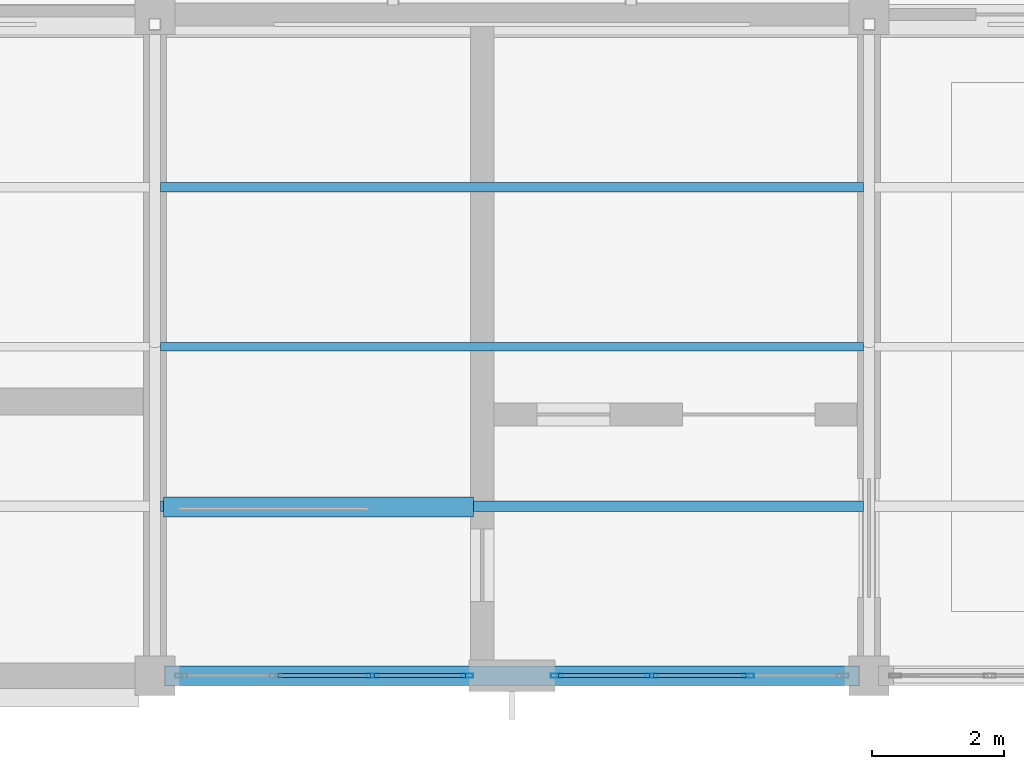
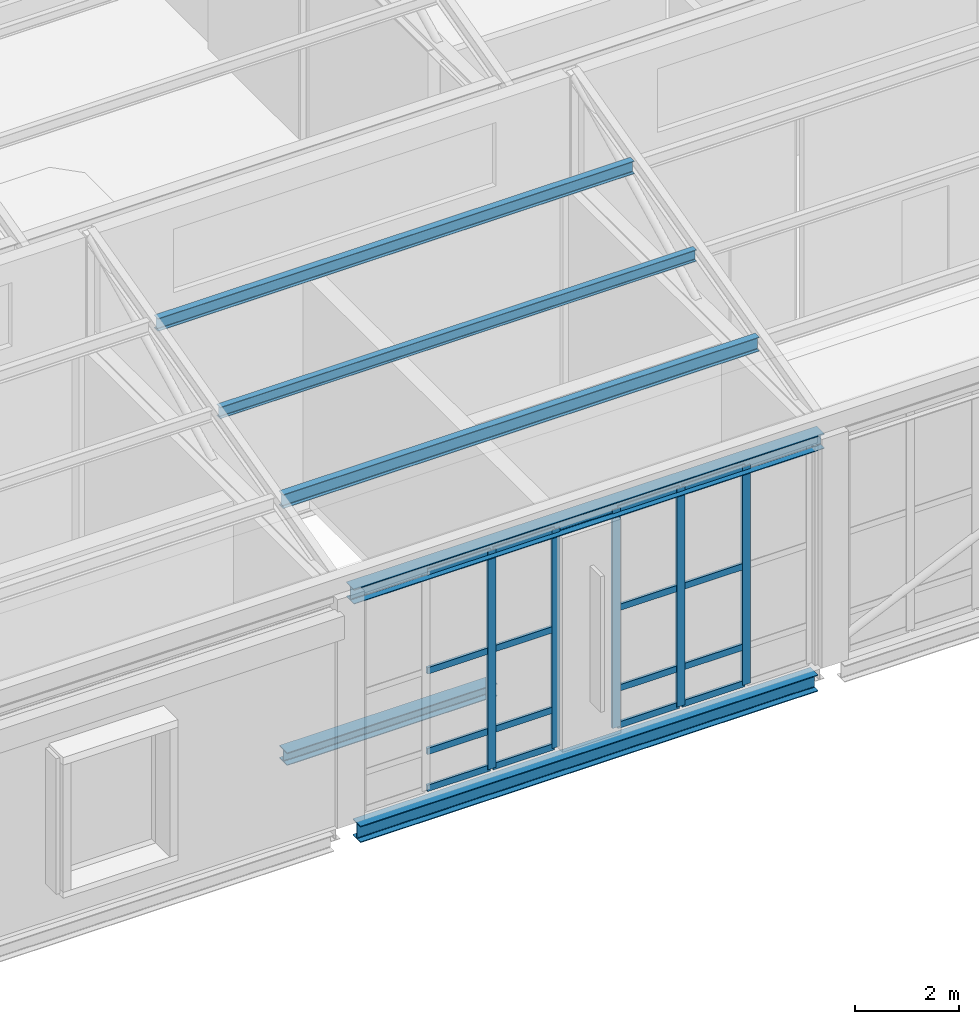
# One storey, part 18 of 49: 24 members, 3 beams, 2 elements without a shape of their own.
"""IFC4 building model written with IfcOpenShell, lengths in metres."""

from ifc_helpers import new_model, si_unit, direction, frame, origin, origin_2d, place, context, subcontext, project, spatial, hollow_rectangle, i_section, extrude, material, layer, layer_set, material_profile, profile_set, type_object, element, aggregate, save


model = new_model("IFC4")

# Units and contexts
model_context = context("Model", 3, precision=1e-05, world=origin(), true_north=direction((0.0, 1.0)))
body_context = subcontext(model_context, "Body", "Model", "MODEL_VIEW")
ifc_project = project(units=[si_unit("LENGTHUNIT", "METRE"), si_unit("AREAUNIT", "SQUARE_METRE"), si_unit("VOLUMEUNIT", "CUBIC_METRE"), si_unit("PLANEANGLEUNIT", "RADIAN"), si_unit("MASSUNIT", "GRAM", prefix="KILO")], contexts=[model_context])

# Site, building, storey
site_placement = place(None, origin())
site = spatial("IfcSite", under=ifc_project, at=site_placement, CompositionType="ELEMENT")
building_placement = place(site_placement, origin())
building = spatial("IfcBuilding", under=site, at=building_placement, Name="Tasgan Crest Museum", CompositionType="ELEMENT")
storey_placement = place(building_placement, frame((0.0, 0.0, 28.800048828125)))
storey = spatial("IfcBuildingStorey", under=building, at=storey_placement, Name="L05", CompositionType="ELEMENT", Elevation=28.800048828125)

# Beams
ifc_material_1 = material(Name="Steel S355J2", Category="steel")
ifc_material_profile_1 = material_profile(ifc_material_1, i_section(OverallWidth=0.300048828125, OverallDepth=0.35009765625, WebThickness=0.009521484375, FlangeThickness=0.017578125, FilletRadius=0.027099609375, at=origin_2d()), Name="HEA 360")
ifc_profile_set_1 = profile_set([ifc_material_profile_1], Name="Steel S355J2")
beam_type_1 = type_object("IfcBeamType", Name="BM-G-HEA360", PredefinedType="BEAM", material=ifc_profile_set_1)
beam_1_placement = place(storey_placement, frame((54.14990234375, 82.0, 5.219970703125), z_axis=(1.0, 0.0, 0.0), x_axis=(0.0, 1.0, 0.0)))
element("IfcBeam", 1, at=beam_1_placement, inside=storey, type_object=beam_type_1, Name="Sawtooth valley girder B1 54.0-64.8", PredefinedType="BEAM", context=body_context, shape_type="SweptSolid", body=[
    extrude(i_section(OverallWidth=0.300048828125, OverallDepth=0.35009765625, WebThickness=0.009521484375, FlangeThickness=0.017578125, FilletRadius=0.027099609375, at=origin_2d()), origin(), (0.0, 0.0, 1.0), 10.5),
])
ifc_material_2 = material(Name="Steel S355J2", Category="steel")
ifc_material_profile_2 = material_profile(ifc_material_2, i_section(OverallWidth=0.300048828125, OverallDepth=0.389892578125, WebThickness=0.010986328125, FlangeThickness=0.01904296875, FilletRadius=0.027099609375, at=origin_2d()), Name="HEA 400")
ifc_profile_set_2 = profile_set([ifc_material_profile_2], Name="Steel S355J2")
beam_type_2 = type_object("IfcBeamType", Name="BM-G-HEA400", PredefinedType="BEAM", material=ifc_profile_set_2)
beam_2_placement = place(storey_placement, frame((54.2958984375, 82.0, -0.43505859375), z_axis=(1.0, 0.0, 0.0), x_axis=(0.0, 1.0, 0.0)))
element("IfcBeam", 2, at=beam_2_placement, inside=storey, type_object=beam_type_2, Name="Girder L05 J 54.0-64.8", PredefinedType="BEAM", context=body_context, shape_type="SweptSolid", body=[
    extrude(i_section(OverallWidth=0.300048828125, OverallDepth=0.389892578125, WebThickness=0.010986328125, FlangeThickness=0.01904296875, FilletRadius=0.027099609375, at=origin_2d()), origin(), (0.0, 0.0, 1.0), 10.2080078125),
])
ifc_material_3 = material(Name="Steel S355J2", Category="steel")
ifc_material_profile_3 = material_profile(ifc_material_3, i_section(OverallWidth=0.300048828125, OverallDepth=0.300048828125, WebThickness=0.010986328125, FlangeThickness=0.01904296875, FilletRadius=0.027099609375, at=origin_2d()), Name="HEB 300")
ifc_profile_set_3 = profile_set([ifc_material_profile_3], Name="Steel S355J2")
beam_type_3 = type_object("IfcBeamType", Name="BM-G-HEB300", PredefinedType="BEAM", material=ifc_profile_set_3)
beam_3_placement = place(storey_placement, frame((54.1298828125, 84.550048828125, -0.150146484375), z_axis=(1.0, 0.0, 0.0), x_axis=(0.0, 1.0, 0.0)))
element("IfcBeam", 3, at=beam_3_placement, inside=storey, type_object=beam_type_3, Name="North-Central Sawtooth Core top stair trimmer L05", PredefinedType="BEAM", context=body_context, shape_type="SweptSolid", body=[
    extrude(i_section(OverallWidth=0.300048828125, OverallDepth=0.300048828125, WebThickness=0.010986328125, FlangeThickness=0.01904296875, FilletRadius=0.027099609375, at=origin_2d()), origin(), (0.0, 0.0, 1.0), 4.690185546875),
])

# Curtain wall, members
ifc_material_4 = material(Name="Triple-Glazed Aluminium Curtain Wall", Category="aluminium")
ifc_layer = layer(ifc_material_4, 0.179931640625, Name="CW-DRUM-X-48")
ifc_layer_set = layer_set([ifc_layer], Name="Triple-Glazed Aluminium Curtain Wall")
curtain_wall_type = type_object("IfcCurtainWallType", Name="CW-DRUM-X-48", PredefinedType="NOTDEFINED", material=ifc_layer_set)
curtain_wall_1_placement = place(storey_placement, origin())
curtain_wall_1 = element("IfcCurtainWall", 4, at=curtain_wall_1_placement, inside=storey, type_object=curtain_wall_type, Name="Curtain wall L05 217", PredefinedType="NOTDEFINED")
ifc_material_5 = material(Name="Anodised Aluminium", Category="aluminium")
ifc_material_profile_4 = material_profile(ifc_material_5, hollow_rectangle(XDim=0.06494140625, YDim=0.179931640625, WallThickness=0.0048828125, at=origin_2d()), Name="ALU MULLION 180x65x5")
ifc_profile_set_4 = profile_set([ifc_material_profile_4], Name="Anodised Aluminium")
member_type_1 = type_object("IfcMemberType", Name="CW-MULLION-180", PredefinedType="MULLION", material=ifc_profile_set_4)
member_1_placement = place(storey_placement, frame((57.291748046875, 82.0, 0.0), z_axis=(0.0, 0.0, 1.0), x_axis=(0.0, 1.0, 0.0)))
member_1 = element("IfcMember", 5, at=member_1_placement, type_object=member_type_1, Name="CW03 mullion 3", PredefinedType="MULLION", context=body_context, shape_type="SweptSolid", body=[
    extrude(hollow_rectangle(XDim=0.06494140625, YDim=0.179931640625, WallThickness=0.0048828125, at=origin_2d()), origin(), (0.0, 0.0, 1.0), 5.159912109375),
])
member_2_placement = place(storey_placement, frame((58.72509765625, 82.0, 0.0), z_axis=(0.0, 0.0, 1.0), x_axis=(0.0, 1.0, 0.0)))
member_2 = element("IfcMember", 6, at=member_2_placement, type_object=member_type_1, Name="CW03 mullion 4", PredefinedType="MULLION", context=body_context, shape_type="SweptSolid", body=[
    extrude(hollow_rectangle(XDim=0.06494140625, YDim=0.179931640625, WallThickness=0.0048828125, at=origin_2d()), origin(), (0.0, 0.0, 1.0), 5.159912109375),
])

curtain_wall_2_placement = place(storey_placement, origin())
curtain_wall_2 = element("IfcCurtainWall", 7, at=curtain_wall_2_placement, inside=storey, type_object=curtain_wall_type, Name="Curtain wall L05 218", PredefinedType="NOTDEFINED")
member_3_placement = place(storey_placement, frame((60.074951171875, 82.0, 0.0), z_axis=(0.0, 0.0, 1.0), x_axis=(0.0, 1.0, 0.0)))
member_3 = element("IfcMember", 8, at=member_3_placement, type_object=member_type_1, Name="CW03 mullion 1", PredefinedType="MULLION", context=body_context, shape_type="SweptSolid", body=[
    extrude(hollow_rectangle(XDim=0.06494140625, YDim=0.179931640625, WallThickness=0.0048828125, at=origin_2d()), origin(), (0.0, 0.0, 1.0), 5.159912109375),
])
member_4_placement = place(storey_placement, frame((61.50830078125, 82.0, 0.0), z_axis=(0.0, 0.0, 1.0), x_axis=(0.0, 1.0, 0.0)))
member_4 = element("IfcMember", 9, at=member_4_placement, type_object=member_type_1, Name="CW03 mullion 2", PredefinedType="MULLION", context=body_context, shape_type="SweptSolid", body=[
    extrude(hollow_rectangle(XDim=0.06494140625, YDim=0.179931640625, WallThickness=0.0048828125, at=origin_2d()), origin(), (0.0, 0.0, 1.0), 5.159912109375),
])
member_5_placement = place(storey_placement, frame((62.9716796875, 82.0, 0.0), z_axis=(0.0, 0.0, 1.0), x_axis=(0.0, 1.0, 0.0)))
member_5 = element("IfcMember", 10, at=member_5_placement, type_object=member_type_1, Name="CW03 mullion 3", PredefinedType="MULLION", context=body_context, shape_type="SweptSolid", body=[
    extrude(hollow_rectangle(XDim=0.06494140625, YDim=0.179931640625, WallThickness=0.0048828125, at=origin_2d()), origin(), (0.0, 0.0, 1.0), 5.159912109375),
])

# Member
ifc_material_6 = material(Name="Anodised Aluminium", Category="aluminium")
ifc_material_profile_5 = material_profile(ifc_material_6, hollow_rectangle(XDim=0.06005859375, YDim=0.14990234375, WallThickness=0.0048828125, at=origin_2d()), Name="ALU TRANSOM 150x60x5")
ifc_profile_set_5 = profile_set([ifc_material_profile_5], Name="Anodised Aluminium")
member_type_2 = type_object("IfcMemberType", Name="CW-TRANSOM-150", PredefinedType="USERDEFINED", material=ifc_profile_set_5)
member_6_placement = place(storey_placement, frame((55.8583984375, 82.0, 0.030029296875), z_axis=(1.0, 0.0, 0.0), x_axis=(0.0, 1.0, 0.0)))
member_6 = element("IfcMember", 11, at=member_6_placement, type_object=member_type_2, Name="CW03 transom 2.1", ObjectType="TRANSOM", PredefinedType="USERDEFINED", context=body_context, shape_type="SweptSolid", body=[
    extrude(hollow_rectangle(XDim=0.06005859375, YDim=0.14990234375, WallThickness=0.0048828125, at=origin_2d()), origin(), (0.0, 0.0, 1.0), 1.4033203125),
])

member_7_placement = place(storey_placement, frame((55.8583984375, 82.0, 0.89990234375), z_axis=(1.0, 0.0, 0.0), x_axis=(0.0, 1.0, 0.0)))
member_7 = element("IfcMember", 12, at=member_7_placement, type_object=member_type_2, Name="CW03 transom 2.2", ObjectType="TRANSOM", PredefinedType="USERDEFINED", context=body_context, shape_type="SweptSolid", body=[
    extrude(hollow_rectangle(XDim=0.06005859375, YDim=0.14990234375, WallThickness=0.0048828125, at=origin_2d()), origin(), (0.0, 0.0, 1.0), 1.4033203125),
])

member_8_placement = place(storey_placement, frame((55.8583984375, 82.0, 2.800048828125), z_axis=(1.0, 0.0, 0.0), x_axis=(0.0, 1.0, 0.0)))
member_8 = element("IfcMember", 13, at=member_8_placement, type_object=member_type_2, Name="CW03 transom 2.3", ObjectType="TRANSOM", PredefinedType="USERDEFINED", context=body_context, shape_type="SweptSolid", body=[
    extrude(hollow_rectangle(XDim=0.06005859375, YDim=0.14990234375, WallThickness=0.0048828125, at=origin_2d()), origin(), (0.0, 0.0, 1.0), 1.4033203125),
])

member_9_placement = place(storey_placement, frame((55.8583984375, 82.0, 5.1298828125), z_axis=(1.0, 0.0, 0.0), x_axis=(0.0, 1.0, 0.0)))
member_9 = element("IfcMember", 14, at=member_9_placement, type_object=member_type_2, Name="CW03 transom 2.4", ObjectType="TRANSOM", PredefinedType="USERDEFINED", context=body_context, shape_type="SweptSolid", body=[
    extrude(hollow_rectangle(XDim=0.06005859375, YDim=0.14990234375, WallThickness=0.0048828125, at=origin_2d()), origin(), (0.0, 0.0, 1.0), 1.4033203125),
])

member_10_placement = place(storey_placement, frame((57.32177734375, 82.0, 0.030029296875), z_axis=(1.0, 0.0, 0.0), x_axis=(0.0, 1.0, 0.0)))
member_10 = element("IfcMember", 15, at=member_10_placement, type_object=member_type_2, Name="CW03 transom 3.1", ObjectType="TRANSOM", PredefinedType="USERDEFINED", context=body_context, shape_type="SweptSolid", body=[
    extrude(hollow_rectangle(XDim=0.06005859375, YDim=0.14990234375, WallThickness=0.0048828125, at=origin_2d()), origin(), (0.0, 0.0, 1.0), 1.373291015625),
])

member_11_placement = place(storey_placement, frame((57.32177734375, 82.0, 0.89990234375), z_axis=(1.0, 0.0, 0.0), x_axis=(0.0, 1.0, 0.0)))
member_11 = element("IfcMember", 16, at=member_11_placement, type_object=member_type_2, Name="CW03 transom 3.2", ObjectType="TRANSOM", PredefinedType="USERDEFINED", context=body_context, shape_type="SweptSolid", body=[
    extrude(hollow_rectangle(XDim=0.06005859375, YDim=0.14990234375, WallThickness=0.0048828125, at=origin_2d()), origin(), (0.0, 0.0, 1.0), 1.373291015625),
])

member_12_placement = place(storey_placement, frame((57.32177734375, 82.0, 2.800048828125), z_axis=(1.0, 0.0, 0.0), x_axis=(0.0, 1.0, 0.0)))
member_12 = element("IfcMember", 17, at=member_12_placement, type_object=member_type_2, Name="CW03 transom 3.3", ObjectType="TRANSOM", PredefinedType="USERDEFINED", context=body_context, shape_type="SweptSolid", body=[
    extrude(hollow_rectangle(XDim=0.06005859375, YDim=0.14990234375, WallThickness=0.0048828125, at=origin_2d()), origin(), (0.0, 0.0, 1.0), 1.373291015625),
])

member_13_placement = place(storey_placement, frame((57.32177734375, 82.0, 5.1298828125), z_axis=(1.0, 0.0, 0.0), x_axis=(0.0, 1.0, 0.0)))
member_13 = element("IfcMember", 18, at=member_13_placement, type_object=member_type_2, Name="CW03 transom 3.4", ObjectType="TRANSOM", PredefinedType="USERDEFINED", context=body_context, shape_type="SweptSolid", body=[
    extrude(hollow_rectangle(XDim=0.06005859375, YDim=0.14990234375, WallThickness=0.0048828125, at=origin_2d()), origin(), (0.0, 0.0, 1.0), 1.373291015625),
])

aggregate(curtain_wall_1, [member_1, member_2, member_6, member_7, member_8, member_9, member_10, member_11, member_12, member_13])

member_14_placement = place(storey_placement, frame((60.10498046875, 82.0, 0.030029296875), z_axis=(1.0, 0.0, 0.0), x_axis=(0.0, 1.0, 0.0)))
member_14 = element("IfcMember", 19, at=member_14_placement, type_object=member_type_2, Name="CW03 transom 1.1", ObjectType="TRANSOM", PredefinedType="USERDEFINED", context=body_context, shape_type="SweptSolid", body=[
    extrude(hollow_rectangle(XDim=0.06005859375, YDim=0.14990234375, WallThickness=0.0048828125, at=origin_2d()), origin(), (0.0, 0.0, 1.0), 1.373291015625),
])

member_15_placement = place(storey_placement, frame((60.10498046875, 82.0, 0.89990234375), z_axis=(1.0, 0.0, 0.0), x_axis=(0.0, 1.0, 0.0)))
member_15 = element("IfcMember", 20, at=member_15_placement, type_object=member_type_2, Name="CW03 transom 1.2", ObjectType="TRANSOM", PredefinedType="USERDEFINED", context=body_context, shape_type="SweptSolid", body=[
    extrude(hollow_rectangle(XDim=0.06005859375, YDim=0.14990234375, WallThickness=0.0048828125, at=origin_2d()), origin(), (0.0, 0.0, 1.0), 1.373291015625),
])

member_16_placement = place(storey_placement, frame((60.10498046875, 82.0, 2.800048828125), z_axis=(1.0, 0.0, 0.0), x_axis=(0.0, 1.0, 0.0)))
member_16 = element("IfcMember", 21, at=member_16_placement, type_object=member_type_2, Name="CW03 transom 1.3", ObjectType="TRANSOM", PredefinedType="USERDEFINED", context=body_context, shape_type="SweptSolid", body=[
    extrude(hollow_rectangle(XDim=0.06005859375, YDim=0.14990234375, WallThickness=0.0048828125, at=origin_2d()), origin(), (0.0, 0.0, 1.0), 1.373291015625),
])

member_17_placement = place(storey_placement, frame((60.10498046875, 82.0, 5.1298828125), z_axis=(1.0, 0.0, 0.0), x_axis=(0.0, 1.0, 0.0)))
member_17 = element("IfcMember", 22, at=member_17_placement, type_object=member_type_2, Name="CW03 transom 1.4", ObjectType="TRANSOM", PredefinedType="USERDEFINED", context=body_context, shape_type="SweptSolid", body=[
    extrude(hollow_rectangle(XDim=0.06005859375, YDim=0.14990234375, WallThickness=0.0048828125, at=origin_2d()), origin(), (0.0, 0.0, 1.0), 1.373291015625),
])

member_18_placement = place(storey_placement, frame((61.538330078125, 82.0, 0.030029296875), z_axis=(1.0, 0.0, 0.0), x_axis=(0.0, 1.0, 0.0)))
member_18 = element("IfcMember", 23, at=member_18_placement, type_object=member_type_2, Name="CW03 transom 2.1", ObjectType="TRANSOM", PredefinedType="USERDEFINED", context=body_context, shape_type="SweptSolid", body=[
    extrude(hollow_rectangle(XDim=0.06005859375, YDim=0.14990234375, WallThickness=0.0048828125, at=origin_2d()), origin(), (0.0, 0.0, 1.0), 1.4033203125),
])

member_19_placement = place(storey_placement, frame((61.538330078125, 82.0, 0.89990234375), z_axis=(1.0, 0.0, 0.0), x_axis=(0.0, 1.0, 0.0)))
member_19 = element("IfcMember", 24, at=member_19_placement, type_object=member_type_2, Name="CW03 transom 2.2", ObjectType="TRANSOM", PredefinedType="USERDEFINED", context=body_context, shape_type="SweptSolid", body=[
    extrude(hollow_rectangle(XDim=0.06005859375, YDim=0.14990234375, WallThickness=0.0048828125, at=origin_2d()), origin(), (0.0, 0.0, 1.0), 1.4033203125),
])

member_20_placement = place(storey_placement, frame((61.538330078125, 82.0, 2.800048828125), z_axis=(1.0, 0.0, 0.0), x_axis=(0.0, 1.0, 0.0)))
member_20 = element("IfcMember", 25, at=member_20_placement, type_object=member_type_2, Name="CW03 transom 2.3", ObjectType="TRANSOM", PredefinedType="USERDEFINED", context=body_context, shape_type="SweptSolid", body=[
    extrude(hollow_rectangle(XDim=0.06005859375, YDim=0.14990234375, WallThickness=0.0048828125, at=origin_2d()), origin(), (0.0, 0.0, 1.0), 1.4033203125),
])

member_21_placement = place(storey_placement, frame((61.538330078125, 82.0, 5.1298828125), z_axis=(1.0, 0.0, 0.0), x_axis=(0.0, 1.0, 0.0)))
member_21 = element("IfcMember", 26, at=member_21_placement, type_object=member_type_2, Name="CW03 transom 2.4", ObjectType="TRANSOM", PredefinedType="USERDEFINED", context=body_context, shape_type="SweptSolid", body=[
    extrude(hollow_rectangle(XDim=0.06005859375, YDim=0.14990234375, WallThickness=0.0048828125, at=origin_2d()), origin(), (0.0, 0.0, 1.0), 1.4033203125),
])

aggregate(curtain_wall_2, [member_3, member_4, member_5, member_14, member_15, member_16, member_17, member_18, member_19, member_20, member_21])

# Members
ifc_material_7 = material(Name="Steel S355J2", Category="steel")
ifc_material_profile_6 = material_profile(ifc_material_7, i_section(OverallWidth=0.14990234375, OverallDepth=0.300048828125, WebThickness=0.007080078125, FlangeThickness=0.0107421875, FilletRadius=0.014892578125, at=origin_2d()), Name="IPE 300")
ifc_profile_set_6 = profile_set([ifc_material_profile_6], Name="Steel S355J2")
member_type_3 = type_object("IfcMemberType", Name="MEM-PUR-IPE300", PredefinedType="PURLIN", material=ifc_profile_set_6)
member_22_placement = place(storey_placement, frame((54.0849609375, 89.387451171875, 7.1298828125), z_axis=(1.0, 0.0, 0.0), x_axis=(0.0, 1.0, 0.0)))
element("IfcMember", 27, at=member_22_placement, inside=storey, type_object=member_type_3, Name="Sawtooth roof purlin B1 54.0-64.8 P3", PredefinedType="PURLIN", context=body_context, shape_type="SweptSolid", body=[
    extrude(i_section(OverallWidth=0.14990234375, OverallDepth=0.300048828125, WebThickness=0.007080078125, FlangeThickness=0.0107421875, FilletRadius=0.014892578125, at=origin_2d()), origin(), (0.0, 0.0, 1.0), 10.630126953125),
])
ifc_material_8 = material(Name="Steel S355J2", Category="steel")
ifc_material_profile_7 = material_profile(ifc_material_8, i_section(OverallWidth=0.159912109375, OverallDepth=0.330078125, WebThickness=0.007568359375, FlangeThickness=0.011474609375, FilletRadius=0.01806640625, at=origin_2d()), Name="IPE 330")
ifc_profile_set_7 = profile_set([ifc_material_profile_7], Name="Steel S355J2")
member_type_4 = type_object("IfcMemberType", Name="MEM-PUR-IPE330", PredefinedType="PURLIN", material=ifc_profile_set_7)
member_23_placement = place(storey_placement, frame((54.0849609375, 84.5625, 5.889892578125), z_axis=(1.0, 0.0, 0.0), x_axis=(0.0, 1.0, 0.0)))
element("IfcMember", 28, at=member_23_placement, inside=storey, type_object=member_type_4, Name="Sawtooth roof purlin B1 54.0-64.8 P1", PredefinedType="PURLIN", context=body_context, shape_type="SweptSolid", body=[
    extrude(i_section(OverallWidth=0.159912109375, OverallDepth=0.330078125, WebThickness=0.007568359375, FlangeThickness=0.011474609375, FilletRadius=0.01806640625, at=origin_2d()), origin(), (0.0, 0.0, 1.0), 10.630126953125),
])
ifc_material_9 = material(Name="Steel S355J2", Category="steel")
ifc_material_profile_8 = material_profile(ifc_material_9, i_section(OverallWidth=0.135009765625, OverallDepth=0.27001953125, WebThickness=0.006591796875, FlangeThickness=0.01025390625, FilletRadius=0.014892578125, at=origin_2d()), Name="IPE 270")
ifc_profile_set_8 = profile_set([ifc_material_profile_8], Name="Steel S355J2")
member_type_5 = type_object("IfcMemberType", Name="MEM-PURLIN-270", PredefinedType="PURLIN", material=ifc_profile_set_8)
member_24_placement = place(storey_placement, frame((54.0849609375, 86.97509765625, 6.510009765625), z_axis=(1.0, 0.0, 0.0), x_axis=(0.0, 1.0, 0.0)))
element("IfcMember", 29, at=member_24_placement, inside=storey, type_object=member_type_5, Name="Sawtooth roof purlin B1 54.0-64.8 P2", PredefinedType="PURLIN", context=body_context, shape_type="SweptSolid", body=[
    extrude(i_section(OverallWidth=0.135009765625, OverallDepth=0.27001953125, WebThickness=0.006591796875, FlangeThickness=0.01025390625, FilletRadius=0.014892578125, at=origin_2d()), origin(), (0.0, 0.0, 1.0), 10.630126953125),
])

save(model, "model.ifc")
